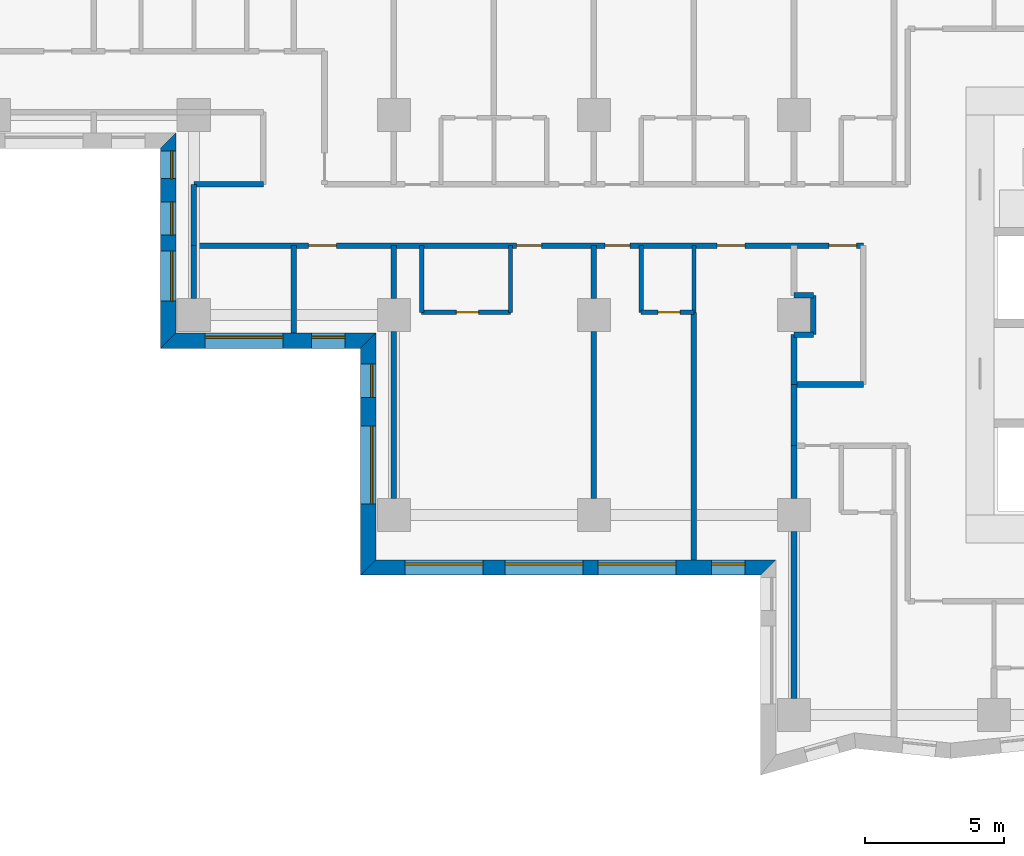
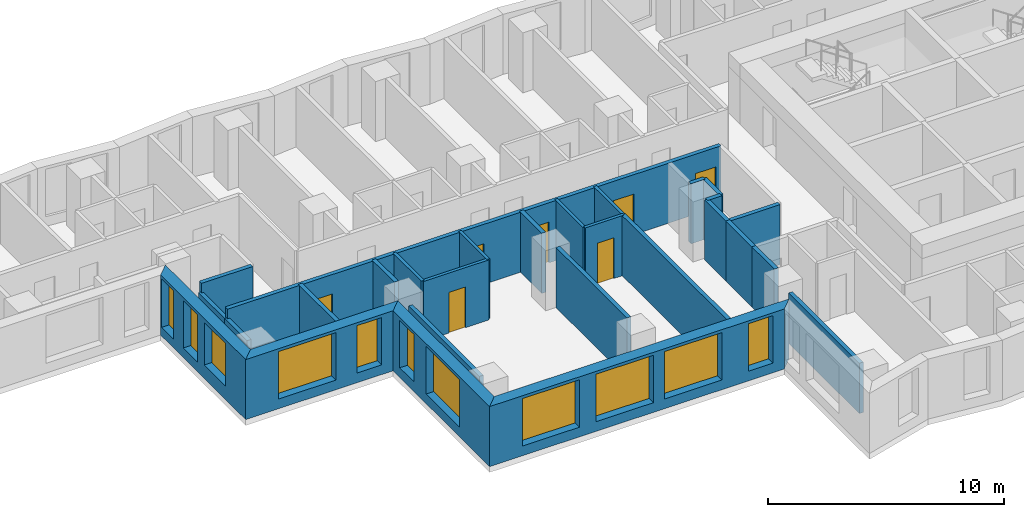
# One storey, part 3 of 13: 28 walls, 11 windows, 7 doors, 18 openings.
"""IFC4 building model written with IfcOpenShell, lengths in metres."""

from ifc_helpers import new_model, si_unit, direction, frame, frame_2d, origin, place, context, subcontext, project, spatial, polyline, rectangle, outline, extrude, material, layer, layer_set, type_object, element, fill, save


model = new_model("IFC4")

# Units and contexts
model_context = context("Model", 3, precision=1e-05, world=origin(), true_north=direction((0.0, 1.0)))
body_context = subcontext(model_context, "Body", "Model", "MODEL_VIEW")
ifc_project = project(units=[si_unit("LENGTHUNIT", "METRE"), si_unit("AREAUNIT", "SQUARE_METRE"), si_unit("VOLUMEUNIT", "CUBIC_METRE"), si_unit("PLANEANGLEUNIT", "RADIAN"), si_unit("MASSUNIT", "GRAM", prefix="KILO")], contexts=[model_context])

# Site, building, storey
site_placement = place(None, origin())
site = spatial("IfcSite", under=ifc_project, at=site_placement, CompositionType="ELEMENT")
building_placement = place(site_placement, origin())
building = spatial("IfcBuilding", under=site, at=building_placement, Name="Windrow Commons", CompositionType="ELEMENT")
storey_placement = place(building_placement, frame((0.0, 0.0, 33.8)))
storey = spatial("IfcBuildingStorey", under=building, at=storey_placement, Name="L08", CompositionType="ELEMENT", Elevation=33.8)

# Wall, openings, windows
ifc_material_1 = material(Name="Brick masonry, red clay brick", Category="masonry")
ifc_layer_1 = layer(ifc_material_1, 0.55)
ifc_layer_set_1 = layer_set([ifc_layer_1], Name="Brick facade wall 550")
wall_type_1 = type_object("IfcWallType", Name="Brick facade wall 550", PredefinedType="SOLIDWALL", material=ifc_layer_set_1)
wall_1_placement = place(storey_placement, frame((27.875, 63.875, 0.0), z_axis=(0.0, 0.0, 1.0), x_axis=(0.0, -1.0, 0.0)))
wall_1 = element("IfcWall", 1, at=wall_1_placement, inside=storey, type_object=wall_type_1, Name="Brick facade wall L08 41", PredefinedType="SOLIDWALL", context=body_context, shape_type="SweptSolid", body=[
    extrude(outline(polyline([(0.275, -0.275), (7.475, -0.275), (6.925, 0.275), (-0.275, 0.275), (0.275, -0.275)])), origin(), (0.0, 0.0, 1.0), 3.1),
])
opening_1_placement = place(wall_1_placement, frame((3.975, 0.0, 0.7)))
opening_1 = element("IfcOpeningElement", 2, at=opening_1_placement, cuts=wall_1, Name="Opening W6", PredefinedType="OPENING", context=body_context, shape_type="SweptSolid", body=[
    extrude(rectangle(XDim=1.8, YDim=2.2, at=frame_2d((0.9, 1.1))), frame((0.0, 0.285, 0.0), z_axis=(0.0, -1.0, 0.0), x_axis=(1.0, 0.0, 0.0)), (0.0, 0.0, 1.0), 0.57),
])
opening_2_placement = place(wall_1_placement, frame((0.3625, 0.0, 0.45)))
opening_2 = element("IfcOpeningElement", 3, at=opening_2_placement, cuts=wall_1, Name="Opening W1S", PredefinedType="OPENING", context=body_context, shape_type="SweptSolid", body=[
    extrude(rectangle(XDim=1.0, YDim=2.5, at=frame_2d((0.5, 1.25))), frame((0.0, 0.285, 0.0), z_axis=(0.0, -1.0, 0.0), x_axis=(1.0, 0.0, 0.0)), (0.0, 0.0, 1.0), 0.57),
])
opening_3_placement = place(wall_1_placement, frame((2.2, 0.0, 0.5)))
opening_3 = element("IfcOpeningElement", 4, at=opening_3_placement, cuts=wall_1, Name="Opening W7D", PredefinedType="OPENING", context=body_context, shape_type="SweptSolid", body=[
    extrude(rectangle(XDim=1.2, YDim=2.45, at=frame_2d((0.6, 1.225))), frame((0.0, 0.285, 0.0), z_axis=(0.0, -1.0, 0.0), x_axis=(1.0, 0.0, 0.0)), (0.0, 0.0, 1.0), 0.57),
])
ifc_material_2 = material(Name="Clear float glass in anodised aluminium frame", Category="aluminium")
window_type_1 = type_object("IfcWindowType", Name="Window W1S slit 1000x2500", PartitioningType="SINGLE_PANEL", PredefinedType="WINDOW", material=ifc_material_2)
window_1_placement = place(opening_2_placement, origin())
window_1 = element("IfcWindow", 5, at=window_1_placement, inside=storey, type_object=window_type_1, Name="Window L08 41.2A", OverallHeight=2.5, OverallWidth=1.0, PartitioningType="SINGLE_PANEL", PredefinedType="WINDOW", context=body_context, shape_type="SweptSolid", body=[
    extrude(rectangle(XDim=1.0, YDim=2.5, at=frame_2d((0.5, 1.25))), frame((0.0, 0.155, 0.0), z_axis=(0.0, -1.0, 0.0), x_axis=(1.0, 0.0, 0.0)), (0.0, 0.0, 1.0), 0.06),
])
fill(opening_2, window_1)
ifc_material_3 = material(Name="Clear float glass in anodised aluminium frame", Category="aluminium")
window_type_2 = type_object("IfcWindowType", Name="Window W6 crown 1800x2200", PartitioningType="SINGLE_PANEL", PredefinedType="WINDOW", material=ifc_material_3)
window_2_placement = place(opening_1_placement, origin())
window_2 = element("IfcWindow", 6, at=window_2_placement, inside=storey, type_object=window_type_2, Name="Window L08 41.1A", OverallHeight=2.2, OverallWidth=1.8, PartitioningType="SINGLE_PANEL", PredefinedType="WINDOW", context=body_context, shape_type="SweptSolid", body=[
    extrude(rectangle(XDim=1.8, YDim=2.2, at=frame_2d((0.9, 1.1))), frame((0.0, 0.155, 0.0), z_axis=(0.0, -1.0, 0.0), x_axis=(1.0, 0.0, 0.0)), (0.0, 0.0, 1.0), 0.06),
])
fill(opening_1, window_2)
ifc_material_4 = material(Name="Clear float glass in anodised aluminium frame", Category="aluminium")
window_type_3 = type_object("IfcWindowType", Name="Window W7 notch 1200x2450", PartitioningType="SINGLE_PANEL", PredefinedType="WINDOW", material=ifc_material_4)
window_3_placement = place(opening_3_placement, origin())
window_3 = element("IfcWindow", 7, at=window_3_placement, inside=storey, type_object=window_type_3, Name="Window L08 41.2B", OverallHeight=2.45, OverallWidth=1.2, PartitioningType="SINGLE_PANEL", PredefinedType="WINDOW", context=body_context, shape_type="SweptSolid", body=[
    extrude(rectangle(XDim=1.2, YDim=2.45, at=frame_2d((0.6, 1.225))), frame((0.0, 0.155, 0.0), z_axis=(0.0, -1.0, 0.0), x_axis=(1.0, 0.0, 0.0)), (0.0, 0.0, 1.0), 0.06),
])
fill(opening_3, window_3)

wall_2_placement = place(storey_placement, frame((27.875, 56.675, 0.0), z_axis=(0.0, 0.0, 1.0), x_axis=(1.0, 0.0, 0.0)))
wall_2 = element("IfcWall", 8, at=wall_2_placement, inside=storey, type_object=wall_type_1, Name="Brick facade wall L08 42", PredefinedType="SOLIDWALL", context=body_context, shape_type="SweptSolid", body=[
    extrude(outline(polyline([(-0.275, -0.275), (6.925, -0.275), (7.475, 0.275), (0.275, 0.275), (-0.275, -0.275)])), origin(), (0.0, 0.0, 1.0), 3.1),
])
opening_4_placement = place(wall_2_placement, frame((1.325, 0.0, 0.5)))
opening_4 = element("IfcOpeningElement", 9, at=opening_4_placement, cuts=wall_2, Name="Opening W1T", PredefinedType="OPENING", context=body_context, shape_type="SweptSolid", body=[
    extrude(rectangle(XDim=2.8, YDim=2.45, at=frame_2d((1.4, 1.225))), frame((0.0, 0.285, 0.0), z_axis=(0.0, -1.0, 0.0), x_axis=(1.0, 0.0, 0.0)), (0.0, 0.0, 1.0), 0.57),
])
opening_5_placement = place(wall_2_placement, frame((5.1625, 0.0, 0.5)))
opening_5 = element("IfcOpeningElement", 10, at=opening_5_placement, cuts=wall_2, Name="Opening W7D", PredefinedType="OPENING", context=body_context, shape_type="SweptSolid", body=[
    extrude(rectangle(XDim=1.2, YDim=2.45, at=frame_2d((0.6, 1.225))), frame((0.0, 0.285, 0.0), z_axis=(0.0, -1.0, 0.0), x_axis=(1.0, 0.0, 0.0)), (0.0, 0.0, 1.0), 0.57),
])
ifc_material_5 = material(Name="Clear float glass in anodised aluminium frame", Category="aluminium")
window_type_4 = type_object("IfcWindowType", Name="Window W1T bedroom 2800x2450", PartitioningType="SINGLE_PANEL", PredefinedType="WINDOW", material=ifc_material_5)
window_4_placement = place(opening_4_placement, origin())
window_4 = element("IfcWindow", 11, at=window_4_placement, inside=storey, type_object=window_type_4, Name="Window L08 42.1", OverallHeight=2.45, OverallWidth=2.8, PartitioningType="SINGLE_PANEL", PredefinedType="WINDOW", context=body_context, shape_type="SweptSolid", body=[
    extrude(rectangle(XDim=2.8, YDim=2.45, at=frame_2d((1.4, 1.225))), frame((0.0, 0.155, 0.0), z_axis=(0.0, -1.0, 0.0), x_axis=(1.0, 0.0, 0.0)), (0.0, 0.0, 1.0), 0.06),
])
fill(opening_4, window_4)
window_5_placement = place(opening_5_placement, origin())
window_5 = element("IfcWindow", 12, at=window_5_placement, inside=storey, type_object=window_type_3, Name="Window L08 42.2", OverallHeight=2.45, OverallWidth=1.2, PartitioningType="SINGLE_PANEL", PredefinedType="WINDOW", context=body_context, shape_type="SweptSolid", body=[
    extrude(rectangle(XDim=1.2, YDim=2.45, at=frame_2d((0.6, 1.225))), frame((0.0, 0.155, 0.0), z_axis=(0.0, -1.0, 0.0), x_axis=(1.0, 0.0, 0.0)), (0.0, 0.0, 1.0), 0.06),
])
fill(opening_5, window_5)

wall_3_placement = place(storey_placement, frame((35.075, 56.675, 0.0), z_axis=(0.0, 0.0, 1.0), x_axis=(0.0, -1.0, 0.0)))
wall_3 = element("IfcWall", 13, at=wall_3_placement, inside=storey, type_object=wall_type_1, Name="Brick facade wall L08 43", PredefinedType="SOLIDWALL", context=body_context, shape_type="SweptSolid", body=[
    extrude(outline(polyline([(0.275, -0.275), (8.436, -0.275), (7.886, 0.275), (-0.275, 0.275), (0.275, -0.275)])), origin(), (0.0, 0.0, 1.0), 3.1),
])
opening_6_placement = place(wall_3_placement, frame((3.075, 0.0, 0.5)))
opening_6 = element("IfcOpeningElement", 14, at=opening_6_placement, cuts=wall_3, Name="Opening W1T", PredefinedType="OPENING", context=body_context, shape_type="SweptSolid", body=[
    extrude(rectangle(XDim=2.8, YDim=2.45, at=frame_2d((1.4, 1.225))), frame((0.0, 0.285, 0.0), z_axis=(0.0, -1.0, 0.0), x_axis=(1.0, 0.0, 0.0)), (0.0, 0.0, 1.0), 0.57),
])
opening_7_placement = place(wall_3_placement, frame((0.8375, 0.0, 0.5)))
opening_7 = element("IfcOpeningElement", 15, at=opening_7_placement, cuts=wall_3, Name="Opening W7D", PredefinedType="OPENING", context=body_context, shape_type="SweptSolid", body=[
    extrude(rectangle(XDim=1.2, YDim=2.45, at=frame_2d((0.6, 1.225))), frame((0.0, 0.285, 0.0), z_axis=(0.0, -1.0, 0.0), x_axis=(1.0, 0.0, 0.0)), (0.0, 0.0, 1.0), 0.57),
])
window_6_placement = place(opening_6_placement, origin())
window_6 = element("IfcWindow", 16, at=window_6_placement, inside=storey, type_object=window_type_4, Name="Window L08 43.1", OverallHeight=2.45, OverallWidth=2.8, PartitioningType="SINGLE_PANEL", PredefinedType="WINDOW", context=body_context, shape_type="SweptSolid", body=[
    extrude(rectangle(XDim=2.8, YDim=2.45, at=frame_2d((1.4, 1.225))), frame((0.0, 0.155, 0.0), z_axis=(0.0, -1.0, 0.0), x_axis=(1.0, 0.0, 0.0)), (0.0, 0.0, 1.0), 0.06),
])
fill(opening_6, window_6)
window_7_placement = place(opening_7_placement, origin())
window_7 = element("IfcWindow", 17, at=window_7_placement, inside=storey, type_object=window_type_3, Name="Window L08 43.2", OverallHeight=2.45, OverallWidth=1.2, PartitioningType="SINGLE_PANEL", PredefinedType="WINDOW", context=body_context, shape_type="SweptSolid", body=[
    extrude(rectangle(XDim=1.2, YDim=2.45, at=frame_2d((0.6, 1.225))), frame((0.0, 0.155, 0.0), z_axis=(0.0, -1.0, 0.0), x_axis=(1.0, 0.0, 0.0)), (0.0, 0.0, 1.0), 0.06),
])
fill(opening_7, window_7)

wall_4_placement = place(storey_placement, frame((35.075, 48.514, 0.0), z_axis=(0.0, 0.0, 1.0), x_axis=(1.0, 0.0, 0.0)))
wall_4 = element("IfcWall", 18, at=wall_4_placement, inside=storey, type_object=wall_type_1, Name="Brick facade wall L08 44", PredefinedType="SOLIDWALL", context=body_context, shape_type="SweptSolid", body=[
    extrude(outline(polyline([(-0.275, -0.275), (14.125, -0.275), (14.675, 0.275), (0.275, 0.275), (-0.275, -0.275)])), origin(), (0.0, 0.0, 1.0), 3.1),
])
opening_8_placement = place(wall_4_placement, frame((1.325, 0.0, 0.5)))
opening_8 = element("IfcOpeningElement", 19, at=opening_8_placement, cuts=wall_4, Name="Opening W1T", PredefinedType="OPENING", context=body_context, shape_type="SweptSolid", body=[
    extrude(rectangle(XDim=2.8, YDim=2.45, at=frame_2d((1.4, 1.225))), frame((0.0, 0.285, 0.0), z_axis=(0.0, -1.0, 0.0), x_axis=(1.0, 0.0, 0.0)), (0.0, 0.0, 1.0), 0.57),
])
opening_9_placement = place(wall_4_placement, frame((4.925, 0.0, 0.5)))
opening_9 = element("IfcOpeningElement", 20, at=opening_9_placement, cuts=wall_4, Name="Opening W1T", PredefinedType="OPENING", context=body_context, shape_type="SweptSolid", body=[
    extrude(rectangle(XDim=2.8, YDim=2.45, at=frame_2d((1.4, 1.225))), frame((0.0, 0.285, 0.0), z_axis=(0.0, -1.0, 0.0), x_axis=(1.0, 0.0, 0.0)), (0.0, 0.0, 1.0), 0.57),
])
opening_10_placement = place(wall_4_placement, frame((8.275, 0.0, 0.5)))
opening_10 = element("IfcOpeningElement", 21, at=opening_10_placement, cuts=wall_4, Name="Opening W1T", PredefinedType="OPENING", context=body_context, shape_type="SweptSolid", body=[
    extrude(rectangle(XDim=2.8, YDim=2.45, at=frame_2d((1.4, 1.225))), frame((0.0, 0.285, 0.0), z_axis=(0.0, -1.0, 0.0), x_axis=(1.0, 0.0, 0.0)), (0.0, 0.0, 1.0), 0.57),
])
opening_11_placement = place(wall_4_placement, frame((12.3625, 0.0, 0.5)))
opening_11 = element("IfcOpeningElement", 22, at=opening_11_placement, cuts=wall_4, Name="Opening W7D", PredefinedType="OPENING", context=body_context, shape_type="SweptSolid", body=[
    extrude(rectangle(XDim=1.2, YDim=2.45, at=frame_2d((0.6, 1.225))), frame((0.0, 0.285, 0.0), z_axis=(0.0, -1.0, 0.0), x_axis=(1.0, 0.0, 0.0)), (0.0, 0.0, 1.0), 0.57),
])
window_8_placement = place(opening_8_placement, origin())
window_8 = element("IfcWindow", 23, at=window_8_placement, inside=storey, type_object=window_type_4, Name="Window L08 44.1", OverallHeight=2.45, OverallWidth=2.8, PartitioningType="SINGLE_PANEL", PredefinedType="WINDOW", context=body_context, shape_type="SweptSolid", body=[
    extrude(rectangle(XDim=2.8, YDim=2.45, at=frame_2d((1.4, 1.225))), frame((0.0, 0.155, 0.0), z_axis=(0.0, -1.0, 0.0), x_axis=(1.0, 0.0, 0.0)), (0.0, 0.0, 1.0), 0.06),
])
fill(opening_8, window_8)
window_9_placement = place(opening_9_placement, origin())
window_9 = element("IfcWindow", 24, at=window_9_placement, inside=storey, type_object=window_type_4, Name="Window L08 44.2", OverallHeight=2.45, OverallWidth=2.8, PartitioningType="SINGLE_PANEL", PredefinedType="WINDOW", context=body_context, shape_type="SweptSolid", body=[
    extrude(rectangle(XDim=2.8, YDim=2.45, at=frame_2d((1.4, 1.225))), frame((0.0, 0.155, 0.0), z_axis=(0.0, -1.0, 0.0), x_axis=(1.0, 0.0, 0.0)), (0.0, 0.0, 1.0), 0.06),
])
fill(opening_9, window_9)
window_10_placement = place(opening_10_placement, origin())
window_10 = element("IfcWindow", 25, at=window_10_placement, inside=storey, type_object=window_type_4, Name="Window L08 44.3", OverallHeight=2.45, OverallWidth=2.8, PartitioningType="SINGLE_PANEL", PredefinedType="WINDOW", context=body_context, shape_type="SweptSolid", body=[
    extrude(rectangle(XDim=2.8, YDim=2.45, at=frame_2d((1.4, 1.225))), frame((0.0, 0.155, 0.0), z_axis=(0.0, -1.0, 0.0), x_axis=(1.0, 0.0, 0.0)), (0.0, 0.0, 1.0), 0.06),
])
fill(opening_10, window_10)
window_11_placement = place(opening_11_placement, origin())
window_11 = element("IfcWindow", 26, at=window_11_placement, inside=storey, type_object=window_type_3, Name="Window L08 44.4", OverallHeight=2.45, OverallWidth=1.2, PartitioningType="SINGLE_PANEL", PredefinedType="WINDOW", context=body_context, shape_type="SweptSolid", body=[
    extrude(rectangle(XDim=1.2, YDim=2.45, at=frame_2d((0.6, 1.225))), frame((0.0, 0.155, 0.0), z_axis=(0.0, -1.0, 0.0), x_axis=(1.0, 0.0, 0.0)), (0.0, 0.0, 1.0), 0.06),
])
fill(opening_11, window_11)

# Wall, openings, doors
ifc_material_6 = material(Name="Blockwork partition", Category="masonry")
ifc_layer_2 = layer(ifc_material_6, 0.2)
ifc_layer_set_2 = layer_set([ifc_layer_2], Name="IW-CORRIDOR-200")
wall_type_2 = type_object("IfcWallType", Name="IW-CORRIDOR-200", PredefinedType="PARTITIONING", material=ifc_layer_set_2)
wall_5_placement = place(storey_placement, frame((28.8, 60.1, 0.0), z_axis=(0.0, 0.0, 1.0), x_axis=(1.0, 0.0, 0.0)))
wall_5 = element("IfcWall", 27, at=wall_5_placement, inside=storey, type_object=wall_type_2, Name="W-L08-W000", PredefinedType="PARTITIONING", context=body_context, shape_type="SweptSolid", body=[
    extrude(rectangle(XDim=24.1, YDim=0.2, at=frame_2d((12.05, 0.0))), origin(), (0.0, 0.0, 1.0), 3.1),
])
opening_12_placement = place(wall_5_placement, frame((4.125, 0.0, 0.0)))
opening_12 = element("IfcOpeningElement", 28, at=opening_12_placement, cuts=wall_5, Name="Opening D310F", PredefinedType="OPENING", context=body_context, shape_type="SweptSolid", body=[
    extrude(rectangle(XDim=1.0, YDim=2.1, at=frame_2d((0.5, 1.05))), frame((0.0, 0.11, 0.0), z_axis=(0.0, -1.0, 0.0), x_axis=(1.0, 0.0, 0.0)), (0.0, 0.0, 1.0), 0.22),
])
opening_13_placement = place(wall_5_placement, frame((11.62, 0.0, 0.0)))
opening_13 = element("IfcOpeningElement", 29, at=opening_13_placement, cuts=wall_5, Name="Opening D109F", PredefinedType="OPENING", context=body_context, shape_type="SweptSolid", body=[
    extrude(rectangle(XDim=0.9, YDim=2.1, at=frame_2d((0.45, 1.05))), frame((0.0, 0.11, 0.0), z_axis=(0.0, -1.0, 0.0), x_axis=(1.0, 0.0, 0.0)), (0.0, 0.0, 1.0), 0.22),
])
opening_14_placement = place(wall_5_placement, frame((14.8, 0.0, 0.0)))
opening_14 = element("IfcOpeningElement", 30, at=opening_14_placement, cuts=wall_5, Name="Opening D109S", PredefinedType="OPENING", context=body_context, shape_type="SweptSolid", body=[
    extrude(rectangle(XDim=0.9, YDim=2.1, at=frame_2d((0.45, 1.05))), frame((0.0, 0.11, 0.0), z_axis=(0.0, -1.0, 0.0), x_axis=(1.0, 0.0, 0.0)), (0.0, 0.0, 1.0), 0.22),
])
opening_15_placement = place(wall_5_placement, frame((18.835, 0.0, 0.0)))
opening_15 = element("IfcOpeningElement", 31, at=opening_15_placement, cuts=wall_5, Name="Opening D310F", PredefinedType="OPENING", context=body_context, shape_type="SweptSolid", body=[
    extrude(rectangle(XDim=1.0, YDim=2.1, at=frame_2d((0.5, 1.05))), frame((0.0, 0.11, 0.0), z_axis=(0.0, -1.0, 0.0), x_axis=(1.0, 0.0, 0.0)), (0.0, 0.0, 1.0), 0.22),
])
opening_16_placement = place(wall_5_placement, frame((22.8544, 0.0, 0.0)))
opening_16 = element("IfcOpeningElement", 32, at=opening_16_placement, cuts=wall_5, Name="Opening D410F", PredefinedType="OPENING", context=body_context, shape_type="SweptSolid", body=[
    extrude(rectangle(XDim=1.0, YDim=2.1, at=frame_2d((0.5, 1.05))), frame((0.0, 0.11, 0.0), z_axis=(0.0, -1.0, 0.0), x_axis=(1.0, 0.0, 0.0)), (0.0, 0.0, 1.0), 0.22),
])
ifc_material_7 = material(Name="Timber door leaf", Category="wood")
door_type_1 = type_object("IfcDoorType", Name="DT-AMENITY-1000", OperationType="SINGLE_SWING_LEFT", PredefinedType="DOOR", material=ifc_material_7)
door_1_placement = place(opening_12_placement, origin())
door_1 = element("IfcDoor", 33, at=door_1_placement, inside=storey, type_object=door_type_1, Name="D-L08-D008", OperationType="SINGLE_SWING_RIGHT", OverallHeight=2.1, OverallWidth=1.0, PredefinedType="DOOR", context=body_context, shape_type="SweptSolid", body=[
    extrude(rectangle(XDim=1.0, YDim=2.1, at=frame_2d((0.5, 1.05))), frame((0.0, 0.025, 0.0), z_axis=(0.0, -1.0, 0.0), x_axis=(1.0, 0.0, 0.0)), (0.0, 0.0, 1.0), 0.05),
])
fill(opening_12, door_1)
door_2_placement = place(opening_15_placement, origin())
door_2 = element("IfcDoor", 34, at=door_2_placement, inside=storey, type_object=door_type_1, Name="D-L08-D026", OperationType="SINGLE_SWING_RIGHT", OverallHeight=2.1, OverallWidth=1.0, PredefinedType="DOOR", context=body_context, shape_type="SweptSolid", body=[
    extrude(rectangle(XDim=1.0, YDim=2.1, at=frame_2d((0.5, 1.05))), frame((0.0, 0.025, 0.0), z_axis=(0.0, -1.0, 0.0), x_axis=(1.0, 0.0, 0.0)), (0.0, 0.0, 1.0), 0.05),
])
fill(opening_15, door_2)
ifc_material_8 = material(Name="Timber door leaf", Category="wood")
door_type_2 = type_object("IfcDoorType", Name="DT-BEDROOM-900", OperationType="SINGLE_SWING_LEFT", PredefinedType="DOOR", material=ifc_material_8)
door_3_placement = place(opening_13_placement, origin())
door_3 = element("IfcDoor", 35, at=door_3_placement, inside=storey, type_object=door_type_2, Name="D-L08-D009", OperationType="SINGLE_SWING_LEFT", OverallHeight=2.1, OverallWidth=0.9, PredefinedType="DOOR", context=body_context, shape_type="SweptSolid", body=[
    extrude(rectangle(XDim=0.9, YDim=2.1, at=frame_2d((0.45, 1.05))), frame((0.0, 0.025, 0.0), z_axis=(0.0, -1.0, 0.0), x_axis=(1.0, 0.0, 0.0)), (0.0, 0.0, 1.0), 0.05),
])
fill(opening_13, door_3)
door_4_placement = place(opening_14_placement, origin())
door_4 = element("IfcDoor", 36, at=door_4_placement, inside=storey, type_object=door_type_2, Name="D-L08-D011", OperationType="SINGLE_SWING_LEFT", OverallHeight=2.1, OverallWidth=0.9, PredefinedType="DOOR", context=body_context, shape_type="SweptSolid", body=[
    extrude(rectangle(XDim=0.9, YDim=2.1, at=frame_2d((0.45, 1.05))), frame((0.0, 0.025, 0.0), z_axis=(0.0, -1.0, 0.0), x_axis=(1.0, 0.0, 0.0)), (0.0, 0.0, 1.0), 0.05),
])
fill(opening_14, door_4)
ifc_material_9 = material(Name="Timber door leaf", Category="wood")
door_type_3 = type_object("IfcDoorType", Name="DT-SERVICE-1000", OperationType="SINGLE_SWING_LEFT", PredefinedType="DOOR", material=ifc_material_9)
door_5_placement = place(opening_16_placement, origin())
door_5 = element("IfcDoor", 37, at=door_5_placement, inside=storey, type_object=door_type_3, Name="D-L08-D027", OperationType="SINGLE_SWING_LEFT", OverallHeight=2.1, OverallWidth=1.0, PredefinedType="DOOR", context=body_context, shape_type="SweptSolid", body=[
    extrude(rectangle(XDim=1.0, YDim=2.1, at=frame_2d((0.5, 1.05))), frame((0.0, 0.025, 0.0), z_axis=(0.0, -1.0, 0.0), x_axis=(1.0, 0.0, 0.0)), (0.0, 0.0, 1.0), 0.05),
])
fill(opening_16, door_5)

# Walls
wall_6_placement = place(storey_placement, frame((50.4, 55.1, 0.0), z_axis=(0.0, 0.0, 1.0), x_axis=(1.0, 0.0, 0.0)))
element("IfcWall", 38, at=wall_6_placement, inside=storey, type_object=wall_type_2, Name="W-L08-W075", PredefinedType="PARTITIONING", context=body_context, shape_type="SweptSolid", body=[
    extrude(rectangle(XDim=2.5, YDim=0.2, at=frame_2d((1.25, 0.0))), origin(), (0.0, 0.0, 1.0), 3.1),
])
wall_7_placement = place(storey_placement, frame((28.802, 62.3, 0.0), z_axis=(0.0, 0.0, 1.0), x_axis=(1.0, 0.0, 0.0)))
element("IfcWall", 39, at=wall_7_placement, inside=storey, type_object=wall_type_2, Name="W-L08-W076", PredefinedType="PARTITIONING", context=body_context, shape_type="SweptSolid", body=[
    extrude(rectangle(XDim=2.498, YDim=0.2, at=frame_2d((1.249, 0.0))), origin(), (0.0, 0.0, 1.0), 3.1),
])
wall_8_placement = place(storey_placement, frame((50.4, 52.9, 0.0), z_axis=(0.0, 0.0, 1.0), x_axis=(0.0, 1.0, 0.0)))
element("IfcWall", 40, at=wall_8_placement, inside=storey, type_object=wall_type_2, Name="W-L08-W128", PredefinedType="PARTITIONING", context=body_context, shape_type="SweptSolid", body=[
    extrude(rectangle(XDim=2.2, YDim=0.2, at=frame_2d((1.1, 0.0))), origin(), (0.0, 0.0, 1.0), 3.1),
])
wall_9_placement = place(storey_placement, frame((28.8, 60.1, 0.0), z_axis=(0.0, 0.0, 1.0), x_axis=(0.0, 1.0, 0.0)))
element("IfcWall", 41, at=wall_9_placement, inside=storey, type_object=wall_type_2, Name="W-L08-W129", PredefinedType="PARTITIONING", context=body_context, shape_type="SweptSolid", body=[
    extrude(rectangle(XDim=2.2, YDim=0.2, at=frame_2d((1.1, 0.0))), origin(), (0.0, 0.0, 1.0), 2.6),
])

# Wall, opening, door
ifc_material_10 = material(Name="Blockwork partition", Category="masonry")
ifc_layer_3 = layer(ifc_material_10, 0.15)
ifc_layer_set_3 = layer_set([ifc_layer_3], Name="IW-ENSUITE-150")
wall_type_3 = type_object("IfcWallType", Name="IW-ENSUITE-150", PredefinedType="PARTITIONING", material=ifc_layer_set_3)
wall_10_placement = place(storey_placement, frame((37.0, 57.7, 0.0), z_axis=(0.0, 0.0, 1.0), x_axis=(1.0, 0.0, 0.0)))
wall_10 = element("IfcWall", 42, at=wall_10_placement, inside=storey, type_object=wall_type_3, Name="W-L08-W067", PredefinedType="PARTITIONING", context=body_context, shape_type="SweptSolid", body=[
    extrude(rectangle(XDim=3.2, YDim=0.15, at=frame_2d((1.6, 0.0))), origin(), (0.0, 0.0, 1.0), 3.1),
])
opening_17_placement = place(wall_10_placement, frame((1.246, 0.0, 0.0)))
opening_17 = element("IfcOpeningElement", 43, at=opening_17_placement, cuts=wall_10, Name="Opening D208N", PredefinedType="OPENING", context=body_context, shape_type="SweptSolid", body=[
    extrude(rectangle(XDim=0.8, YDim=2.1, at=frame_2d((0.4, 1.05))), frame((0.0, 0.085, 0.0), z_axis=(0.0, -1.0, 0.0), x_axis=(1.0, 0.0, 0.0)), (0.0, 0.0, 1.0), 0.17),
])
ifc_material_11 = material(Name="Timber door leaf", Category="wood")
door_type_4 = type_object("IfcDoorType", Name="DT-ENSUITE-800", OperationType="SINGLE_SWING_LEFT", PredefinedType="DOOR", material=ifc_material_11)
door_6_placement = place(opening_17_placement, origin())
door_6 = element("IfcDoor", 44, at=door_6_placement, inside=storey, type_object=door_type_4, Name="D-L08-D010", OperationType="SINGLE_SWING_RIGHT", OverallHeight=2.1, OverallWidth=0.8, PredefinedType="DOOR", context=body_context, shape_type="SweptSolid", body=[
    extrude(rectangle(XDim=0.8, YDim=2.1, at=frame_2d((0.4, 1.05))), frame((0.0, 0.025, 0.0), z_axis=(0.0, -1.0, 0.0), x_axis=(1.0, 0.0, 0.0)), (0.0, 0.0, 1.0), 0.05),
])
fill(opening_17, door_6)

# Walls
for number, where, z_axis, x_axis, name in (
    (45, (40.2, 57.7, 0.0), (0.0, 0.0, 1.0), (0.0, 1.0, 0.0), "W-L08-W095"),
    (46, (37.0, 57.7, 0.0), (0.0, 0.0, 1.0), (0.0, 1.0, 0.0), "W-L08-W096"),
    (47, (44.9, 57.7, 0.0), (0.0, 0.0, 1.0), (0.0, 1.0, 0.0), "W-L08-W097"),
    (48, (46.8, 57.7, 0.0), (0.0, 0.0, 1.0), (0.0, 1.0, 0.0), "W-L08-W098"),
):
    element("IfcWall", number, at=place(storey_placement, frame(where, z_axis=z_axis, x_axis=x_axis)), inside=storey, type_object=wall_type_3, Name=name, PredefinedType="PARTITIONING", context=body_context, shape_type="SweptSolid", body=[
        extrude(rectangle(XDim=2.4, YDim=0.15, at=frame_2d((1.2, 0.0))), origin(), (0.0, 0.0, 1.0), 3.1),
    ])

# Wall, opening, door
wall_11_placement = place(storey_placement, frame((44.9, 57.7, 0.0), z_axis=(0.0, 0.0, 1.0), x_axis=(1.0, 0.0, 0.0)))
wall_11 = element("IfcWall", 49, at=wall_11_placement, inside=storey, type_object=wall_type_3, Name="W-L08-W148", PredefinedType="PARTITIONING", context=body_context, shape_type="SweptSolid", body=[
    extrude(rectangle(XDim=1.9, YDim=0.15, at=frame_2d((0.95, 0.0))), origin(), (0.0, 0.0, 1.0), 3.1),
])
opening_18_placement = place(wall_11_placement, frame((0.5979, 0.0, 0.0)))
opening_18 = element("IfcOpeningElement", 50, at=opening_18_placement, cuts=wall_11, Name="Opening D208N", PredefinedType="OPENING", context=body_context, shape_type="SweptSolid", body=[
    extrude(rectangle(XDim=0.8, YDim=2.1, at=frame_2d((0.4, 1.05))), frame((0.0, 0.085, 0.0), z_axis=(0.0, -1.0, 0.0), x_axis=(1.0, 0.0, 0.0)), (0.0, 0.0, 1.0), 0.17),
])
door_7_placement = place(opening_18_placement, origin())
door_7 = element("IfcDoor", 51, at=door_7_placement, inside=storey, type_object=door_type_4, Name="D-L08-D012", OperationType="SINGLE_SWING_RIGHT", OverallHeight=2.1, OverallWidth=0.8, PredefinedType="DOOR", context=body_context, shape_type="SweptSolid", body=[
    extrude(rectangle(XDim=0.8, YDim=2.1, at=frame_2d((0.4, 1.05))), frame((0.0, 0.025, 0.0), z_axis=(0.0, -1.0, 0.0), x_axis=(1.0, 0.0, 0.0)), (0.0, 0.0, 1.0), 0.05),
])
fill(opening_18, door_7)

# Walls
ifc_material_12 = material(Name="Blockwork partition", Category="masonry")
ifc_layer_4 = layer(ifc_material_12, 0.2)
ifc_layer_set_4 = layer_set([ifc_layer_4], Name="IW-PARTY-200")
wall_type_4 = type_object("IfcWallType", Name="IW-PARTY-200", PredefinedType="PARTITIONING", material=ifc_layer_set_4)
wall_12_placement = place(storey_placement, frame((46.8, 48.789, 0.0), z_axis=(0.0, 0.0, 1.0), x_axis=(0.0, 1.0, 0.0)))
element("IfcWall", 52, at=wall_12_placement, inside=storey, type_object=wall_type_4, Name="W-L08-W011", PredefinedType="PARTITIONING", context=body_context, shape_type="SweptSolid", body=[
    extrude(rectangle(XDim=8.911, YDim=0.2, at=frame_2d((4.4555, 0.0))), origin(), (0.0, 0.0, 1.0), 3.1),
])
wall_13_placement = place(storey_placement, frame((36.0, 51.0, 0.0), z_axis=(0.0, 0.0, 1.0), x_axis=(0.0, 1.0, 0.0)))
element("IfcWall", 53, at=wall_13_placement, inside=storey, type_object=wall_type_4, Name="W-L08-W029", PredefinedType="PARTITIONING", context=body_context, shape_type="SweptSolid", body=[
    extrude(rectangle(XDim=6.0, YDim=0.2, at=frame_2d((3.0, 0.0))), origin(), (0.0, 0.0, 1.0), 2.6),
])
wall_14_placement = place(storey_placement, frame((43.2, 51.0, 0.0), z_axis=(0.0, 0.0, 1.0), x_axis=(0.0, 1.0, 0.0)))
element("IfcWall", 54, at=wall_14_placement, inside=storey, type_object=wall_type_4, Name="W-L08-W031", PredefinedType="PARTITIONING", context=body_context, shape_type="SweptSolid", body=[
    extrude(rectangle(XDim=6.0, YDim=0.2, at=frame_2d((3.0, 0.0))), origin(), (0.0, 0.0, 1.0), 3.1),
])
wall_15_placement = place(storey_placement, frame((50.4, 43.8, 0.0), z_axis=(0.0, 0.0, 1.0), x_axis=(0.0, 1.0, 0.0)))
element("IfcWall", 55, at=wall_15_placement, inside=storey, type_object=wall_type_4, Name="W-L08-W033", PredefinedType="PARTITIONING", context=body_context, shape_type="SweptSolid", body=[
    extrude(rectangle(XDim=6.0, YDim=0.2, at=frame_2d((3.0, 0.0))), origin(), (0.0, 0.0, 1.0), 2.6),
])
wall_16_placement = place(storey_placement, frame((32.4, 56.95, 0.0), z_axis=(0.0, 0.0, 1.0), x_axis=(0.0, 1.0, 0.0)))
element("IfcWall", 56, at=wall_16_placement, inside=storey, type_object=wall_type_4, Name="W-L08-W070", PredefinedType="PARTITIONING", context=body_context, shape_type="SweptSolid", body=[
    extrude(rectangle(XDim=3.15, YDim=0.2, at=frame_2d((1.575, 0.0))), origin(), (0.0, 0.0, 1.0), 3.1),
])
wall_17_placement = place(storey_placement, frame((28.8, 58.2, 0.0), z_axis=(0.0, 0.0, 1.0), x_axis=(0.0, 1.0, 0.0)))
element("IfcWall", 57, at=wall_17_placement, inside=storey, type_object=wall_type_4, Name="W-L08-W146", PredefinedType="PARTITIONING", context=body_context, shape_type="SweptSolid", body=[
    extrude(rectangle(XDim=1.9, YDim=0.2, at=frame_2d((0.95, 0.0))), origin(), (0.0, 0.0, 1.0), 2.6),
])
for number, where, z_axis, x_axis, name in (
    (58, (36.0, 58.2, 0.0), (0.0, 0.0, 1.0), (0.0, 1.0, 0.0), "W-L08-W147"),
    (59, (43.2, 58.2, 0.0), (0.0, 0.0, 1.0), (0.0, 1.0, 0.0), "W-L08-W150"),
    (60, (50.4, 51.0, 0.0), (0.0, 0.0, 1.0), (0.0, 1.0, 0.0), "W-L08-W151"),
):
    element("IfcWall", number, at=place(storey_placement, frame(where, z_axis=z_axis, x_axis=x_axis)), inside=storey, type_object=wall_type_4, Name=name, PredefinedType="PARTITIONING", context=body_context, shape_type="SweptSolid", body=[
        extrude(rectangle(XDim=1.9, YDim=0.2, at=frame_2d((0.95, 0.0))), origin(), (0.0, 0.0, 1.0), 3.1),
    ])
wall_18_placement = place(storey_placement, frame((50.4, 55.1, 0.0), z_axis=(0.0, 0.0, 1.0), x_axis=(0.0, 1.0, 0.0)))
element("IfcWall", 61, at=wall_18_placement, inside=storey, type_object=wall_type_4, Name="W-L08-W161", PredefinedType="PARTITIONING", context=body_context, shape_type="SweptSolid", body=[
    extrude(rectangle(XDim=1.794, YDim=0.2, at=frame_2d((0.897, 0.0))), origin(), (0.0, 0.0, 1.0), 3.1),
])
wall_19_placement = place(storey_placement, frame((51.1, 56.894, 0.0), z_axis=(0.0, 0.0, 1.0), x_axis=(0.0, 1.0, 0.0)))
element("IfcWall", 62, at=wall_19_placement, inside=storey, type_object=wall_type_4, Name="W-L08-W173", PredefinedType="PARTITIONING", context=body_context, shape_type="SweptSolid", body=[
    extrude(rectangle(XDim=1.412, YDim=0.2, at=frame_2d((0.706, 0.0))), origin(), (0.0, 0.0, 1.0), 3.1),
])
for number, where, z_axis, x_axis, name in (
    (63, (50.4, 58.31, 0.0), (0.0, 0.0, 1.0), (1.0, 0.0, 0.0), "W-L08-W192"),
    (64, (50.4, 56.89, 0.0), (0.0, 0.0, 1.0), (1.0, 0.0, 0.0), "W-L08-W193"),
):
    element("IfcWall", number, at=place(storey_placement, frame(where, z_axis=z_axis, x_axis=x_axis)), inside=storey, type_object=wall_type_4, Name=name, PredefinedType="PARTITIONING", context=body_context, shape_type="SweptSolid", body=[
        extrude(rectangle(XDim=0.7, YDim=0.2, at=frame_2d((0.35, 0.0))), origin(), (0.0, 0.0, 1.0), 3.1),
    ])

save(model, "model.ifc")
